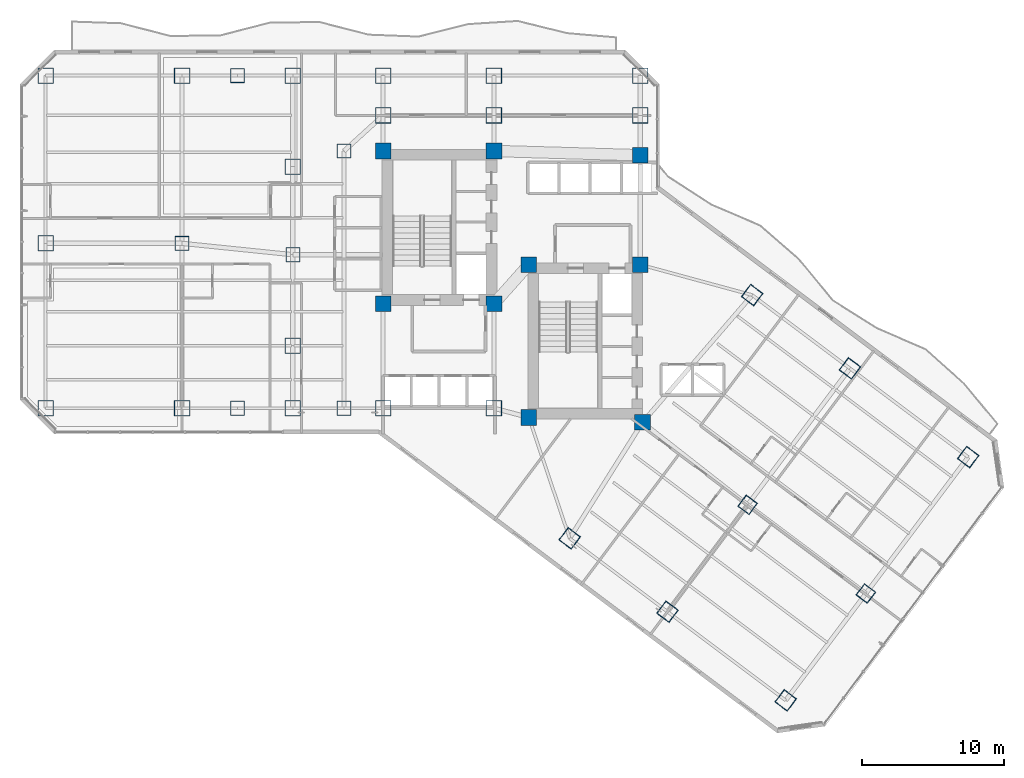
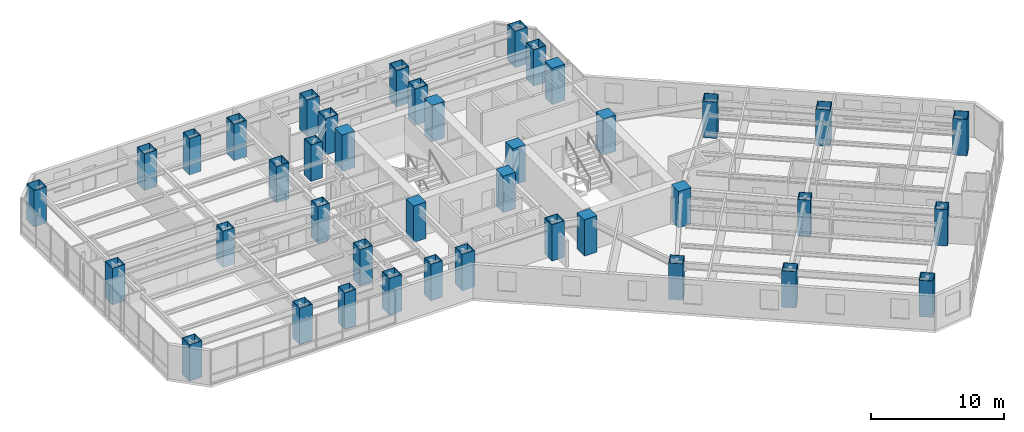
# One storey, part 1 of 37: 40 columns.
"""IFC4 building model written with IfcOpenShell, lengths in metres."""

from ifc_helpers import new_model, si_unit, direction, frame, origin, origin_2d, place, context, subcontext, project, spatial, rectangle, hollow_rectangle, extrude, material, material_profile, profile_set, type_object, element, save


model = new_model("IFC4")

# Units and contexts
model_context = context("Model", 3, precision=1e-05, world=origin(), true_north=direction((0.0, 1.0)))
body_context = subcontext(model_context, "Body", "Model", "MODEL_VIEW")
ifc_project = project(units=[si_unit("LENGTHUNIT", "METRE"), si_unit("AREAUNIT", "SQUARE_METRE"), si_unit("VOLUMEUNIT", "CUBIC_METRE"), si_unit("PLANEANGLEUNIT", "RADIAN"), si_unit("MASSUNIT", "GRAM", prefix="KILO")], contexts=[model_context])

# Site, building, storey
site_placement = place(None, origin())
site = spatial("IfcSite", under=ifc_project, at=site_placement, CompositionType="ELEMENT")
building_placement = place(site_placement, origin())
building = spatial("IfcBuilding", under=site, at=building_placement, Name="Hatsunagi Terrace Concourse", CompositionType="ELEMENT")
storey_placement = place(building_placement, frame((0.0, 0.0, 39.949951171875)))
storey = spatial("IfcBuildingStorey", under=building, at=storey_placement, Name="L09", CompositionType="ELEMENT", Elevation=39.949951171875)

# Columns
ifc_material_1 = material(Name="Concrete Fc60", Category="concrete")
ifc_material_profile_1 = material_profile(ifc_material_1, rectangle(XDim=1.10009765625, YDim=1.10009765625, at=origin_2d()), Name="RC-1100x1100")
ifc_profile_set_1 = profile_set([ifc_material_profile_1], Name="Concrete Fc60")
column_type_1 = type_object("IfcColumnType", Name="CoreColumn_RC_1100x1100", PredefinedType="COLUMN", material=ifc_profile_set_1)
for number, where, z_axis, x_axis, name in (
    (1, (25.550048828125, 32.550048828125, 0.0), (0.0, 0.0, 1.0), (1.0, 0.0, 0.0), "Column C-01 L09-CASW"),
    (2, (33.35009765625, 32.550048828125, 0.0), (0.0, 0.0, 1.0), (1.0, 0.0, 0.0), "Column C-01 L09-CASE"),
    (3, (25.550048828125, 43.300048828125, 0.0), (0.0, 0.0, 1.0), (1.0, 0.0, 0.0), "Column C-01 L09-CANW"),
    (4, (33.35009765625, 43.300048828125, 0.0), (0.0, 0.0, 1.0), (1.0, 0.0, 0.0), "Column C-01 L09-CANE"),
    (5, (35.800048828125, 24.550048828125, 0.0), (0.0, 0.0, 1.0), (1.0, 0.0, 0.0), "Column C-01 L09-CBSW"),
    (6, (43.800048828125, 24.199951171875, 0.0), (0.0, 0.0, 1.0), (1.0, 0.0, 0.0), "Column C-01 L09-CBSE"),
    (7, (35.800048828125, 35.300048828125, 0.0), (0.0, 0.0, 1.0), (1.0, 0.0, 0.0), "Column C-01 L09-CBNW"),
    (8, (43.64990234375, 35.300048828125, 0.0), (0.0, 0.0, 1.0), (1.0, 0.0, 0.0), "Column C-01 L09-CBNE"),
    (9, (43.64990234375, 43.0, 0.0), (0.0, 0.0, 1.0), (1.0, 0.0, 0.0), "Column C-01 L09-K3"),
):
    element("IfcColumn", number, at=place(storey_placement, frame(where, z_axis=z_axis, x_axis=x_axis)), inside=storey, type_object=column_type_1, Name=name, PredefinedType="COLUMN", context=body_context, shape_type="SweptSolid", body=[
        extrude(rectangle(XDim=1.10009765625, YDim=1.10009765625, at=origin_2d()), origin(), (0.0, 0.0, 1.0), 3.35009765625),
    ])
ifc_material_2 = material(Name="Steel BCP325T", Category="steel")
ifc_material_profile_2 = material_profile(ifc_material_2, hollow_rectangle(XDim=1.10009765625, YDim=1.10009765625, WallThickness=0.0400390625, at=origin_2d()), Name="BCP-1100x1100x40")
ifc_profile_set_2 = profile_set([ifc_material_profile_2], Name="Steel BCP325T")
column_type_2 = type_object("IfcColumnType", Name="MegaColumn_BCP_1100x1100x40", PredefinedType="COLUMN", material=ifc_profile_set_2)
for number, where, z_axis, x_axis, name in (
    (10, (25.550048828125, 25.199951171875, 0.0), (0.0, 0.0, 1.0), (1.0, 0.0, 0.0), "Mega column MC-02 L09-K1"),
    (11, (33.35009765625, 25.199951171875, 0.0), (0.0, 0.0, 1.0), (1.0, 0.0, 0.0), "Mega column MC-02 L09-K2"),
    (12, (25.550048828125, 45.800048828125, 0.0), (0.0, 0.0, 1.0), (1.0, 0.0, 0.0), "Mega column MC-02 L09-CN1"),
    (13, (33.35009765625, 45.800048828125, 0.0), (0.0, 0.0, 1.0), (1.0, 0.0, 0.0), "Mega column MC-02 L09-CN2"),
    (14, (43.64990234375, 45.800048828125, 0.0), (0.0, 0.0, 1.0), (1.0, 0.0, 0.0), "Mega column MC-02 L09-CN3"),
    (15, (1.800048828125, 25.199951171875, 0.0), (0.0, 0.0, 1.0), (1.0, 0.0, 0.0), "Mega column MC-02 L09-WS1"),
    (16, (1.800048828125, 48.60009765625, 0.0), (0.0, 0.0, 1.0), (1.0, 0.0, 0.0), "Mega column MC-02 L09-WN1"),
    (17, (1.800048828125, 36.800048828125, 0.0), (0.0, 0.0, 1.0), (1.0, 0.0, 0.0), "Mega column MC-02 L09-WM0"),
    (18, (11.39990234375, 25.199951171875, 0.0), (0.0, 0.0, 1.0), (1.0, 0.0, 0.0), "Mega column MC-02 L09-WS2"),
    (19, (11.39990234375, 48.60009765625, 0.0), (0.0, 0.0, 1.0), (1.0, 0.0, 0.0), "Mega column MC-02 L09-WN2"),
    (20, (19.199951171875, 48.60009765625, 0.0), (0.0, 0.0, 1.0), (1.0, 0.0, 0.0), "Mega column MC-02 L09-WN3"),
    (21, (25.550048828125, 48.60009765625, 0.0), (0.0, 0.0, 1.0), (1.0, 0.0, 0.0), "Mega column MC-02 L09-WN4"),
    (22, (33.35009765625, 48.60009765625, 0.0), (0.0, 0.0, 1.0), (1.0, 0.0, 0.0), "Mega column MC-02 L09-WN5"),
    (23, (43.64990234375, 48.60009765625, 0.0), (0.0, 0.0, 1.0), (1.0, 0.0, 0.0), "Mega column MC-02 L09-WN6"),
    (24, (19.199951171875, 25.199951171875, 0.0), (0.0, 0.0, 1.0), (1.0, 0.0, 0.0), "Mega column MC-02 L09-WS3"),
    (25, (19.199951171875, 29.60009765625, 0.0), (0.0, 0.0, 1.0), (1.0, 0.0, 0.0), "Mega column MC-02 L09-WR1"),
    (26, (19.199951171875, 42.199951171875, 0.0), (0.0, 0.0, 1.0), (1.0, 0.0, 0.0), "Mega column MC-02 L09-WR2"),
    (27, (38.679931640625, 16.0400390625, 0.0), (0.0, 0.0, 1.0), (0.799999996291, -0.600000004945, 0.0), "Mega column MC-02 L09-SES1"),
    (28, (51.52001953125, 33.159912109375, 0.0), (0.0, 0.0, 1.0), (0.799999996291, -0.600000004945, 0.0), "Mega column MC-02 L09-SEN1"),
    (29, (45.56005859375, 10.8798828125, 0.0), (0.0, 0.0, 1.0), (0.799999996291, -0.600000004945, 0.0), "Mega column MC-02 L09-SES2"),
    (30, (58.39990234375, 28.0, 0.0), (0.0, 0.0, 1.0), (0.799999996291, -0.600000004945, 0.0), "Mega column MC-02 L09-SEN2"),
    (31, (53.8798828125, 4.639892578125, 0.0), (0.0, 0.0, 1.0), (0.799999996291, -0.600000004945, 0.0), "Mega column MC-02 L09-SES3"),
    (32, (66.719970703125, 21.760009765625, 0.0), (0.0, 0.0, 1.0), (0.799999996291, -0.600000004945, 0.0), "Mega column MC-02 L09-SEN3"),
):
    element("IfcColumn", number, at=place(storey_placement, frame(where, z_axis=z_axis, x_axis=x_axis)), inside=storey, type_object=column_type_2, Name=name, PredefinedType="COLUMN", context=body_context, shape_type="SweptSolid", body=[
        extrude(hollow_rectangle(XDim=1.10009765625, YDim=1.10009765625, WallThickness=0.0400390625, at=origin_2d()), origin(), (0.0, 0.0, 1.0), 3.35009765625),
    ])
ifc_material_3 = material(Name="Steel BCP325T", Category="steel")
ifc_material_profile_3 = material_profile(ifc_material_3, hollow_rectangle(XDim=1.0, YDim=1.0, WallThickness=0.0380859375, at=origin_2d()), Name="BCP-1000x1000x38")
ifc_profile_set_3 = profile_set([ifc_material_profile_3], Name="Steel BCP325T")
column_type_3 = type_object("IfcColumnType", Name="TowerBoxColumn_1000x1000x38", PredefinedType="COLUMN", material=ifc_profile_set_3)
for number, where, z_axis, x_axis, name in (
    (33, (22.800048828125, 25.199951171875, 0.0), (0.0, 0.0, 1.0), (1.0, 0.0, 0.0), "Column C-03 L09-CW1"),
    (34, (22.800048828125, 43.300048828125, 0.0), (0.0, 0.0, 1.0), (1.0, 0.0, 0.0), "Column C-03 L09-CW2"),
    (35, (11.39990234375, 36.800048828125, 0.0), (0.0, 0.0, 1.0), (1.0, 0.0, 0.0), "Column C-03 L09-WT1"),
    (36, (19.199951171875, 36.0, 0.0), (0.0, 0.0, 1.0), (1.0, 0.0, 0.0), "Column C-03 L09-WT2"),
    (37, (15.300048828125, 25.199951171875, 0.0), (0.0, 0.0, 1.0), (1.0, 0.0, 0.0), "Column C-03 L09-WT3"),
    (38, (15.300048828125, 48.60009765625, 0.0), (0.0, 0.0, 1.0), (1.0, 0.0, 0.0), "Column C-03 L09-WT4"),
    (39, (51.199951171875, 18.39990234375, 0.0), (0.0, 0.0, 1.0), (0.799999996291, -0.600000004945, 0.0), "Column C-03 L09-SEM2"),
    (40, (59.52001953125, 12.159912109375, 0.0), (0.0, 0.0, 1.0), (0.799999996291, -0.600000004945, 0.0), "Column C-03 L09-SEM3"),
):
    element("IfcColumn", number, at=place(storey_placement, frame(where, z_axis=z_axis, x_axis=x_axis)), inside=storey, type_object=column_type_3, Name=name, PredefinedType="COLUMN", context=body_context, shape_type="SweptSolid", body=[
        extrude(hollow_rectangle(XDim=1.0, YDim=1.0, WallThickness=0.0380859375, at=origin_2d()), origin(), (0.0, 0.0, 1.0), 3.35009765625),
    ])

save(model, "model.ifc")
